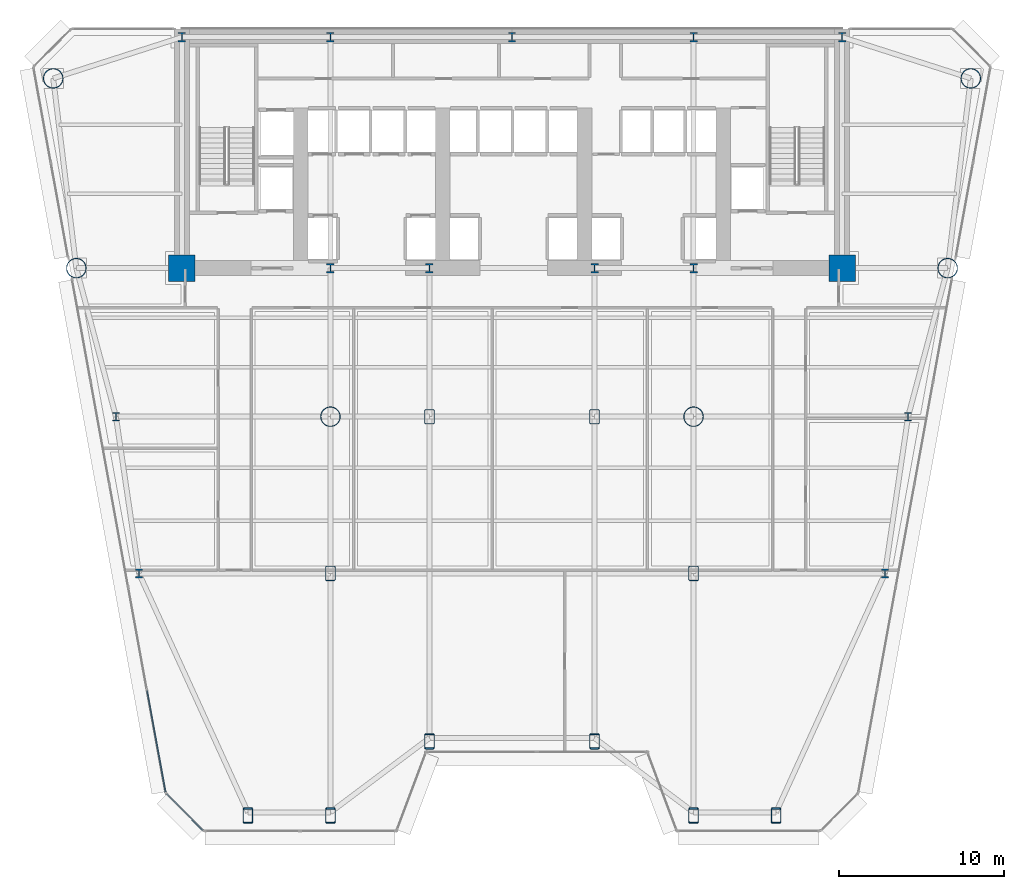
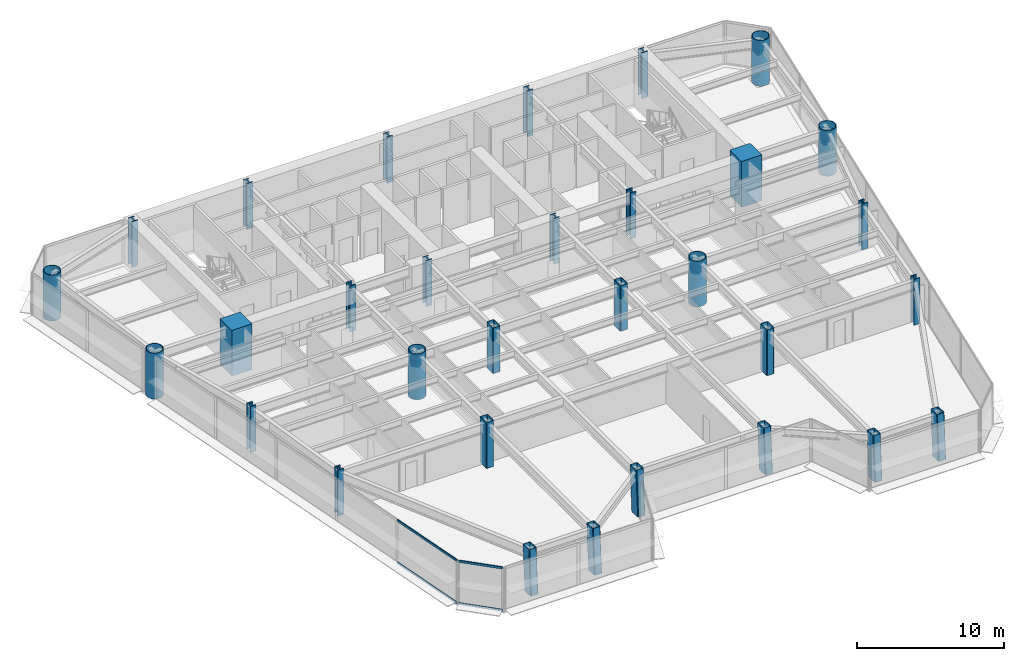
# One storey, part 1 of 14: 31 columns, 4 members, 2 elements without a shape of their own.
"""IFC4 building model written with IfcOpenShell, lengths in metres."""

import ifcopenshell
import ifcopenshell.guid

model = None  # the IFC model being written
_history = None  # IfcOwnerHistory: only IFC2X3 demands one
_inside = {}  # id of a spatial element -> (the spatial element, [elements in it])
_under = {}  # id of a project, library or spatial element -> (it, [spatial elements below it])
_declared = {}  # id of a project -> (the project, [libraries it declares])
_typed = {}  # id of a type object -> (the type object, [elements of that type])
_made_of = {}  # id of a material, layer set ... -> (it, [elements and type objects made of it])


def new_model(schema):
    """Start an empty IFC model of exactly this schema.

    Asked for "IFC4X3", IfcOpenShell would pick the latest addendum, in which some entities
    have other attributes; the version numbers below select the first issue.
    IFC2X3 requires an IfcOwnerHistory on every rooted entity: one is made here for all.
    """
    global model, _history
    if schema == "IFC4X3":
        model = ifcopenshell.file(schema_version=(4, 3, 0, 0))
    else:
        model = ifcopenshell.file(schema=schema)
    _inside.clear()
    _under.clear()
    _declared.clear()
    _typed.clear()
    _made_of.clear()
    _history = None
    if model.schema == "IFC2X3":
        org = make("IfcOrganization", Name="unknown")
        user = make(
            "IfcPersonAndOrganization",
            ThePerson=make("IfcPerson", FamilyName="unknown"),
            TheOrganization=org,
        )
        app = make(
            "IfcApplication",
            ApplicationDeveloper=org,
            Version="unknown",
            ApplicationFullName="unknown",
            ApplicationIdentifier="unknown",
        )
        _history = make(
            "IfcOwnerHistory",
            OwningUser=user,
            OwningApplication=app,
            ChangeAction="ADDED",
            CreationDate=0,
        )
    return model


def make(cls, **values):
    """One entity of the class cls with the attributes given. An attribute that is None is left unset."""
    return model.create_entity(
        cls, **{name: value for name, value in values.items() if value is not None}
    )


def rooted(cls, **values):
    """An entity with a GlobalId (a new one), such as an element, a storey or a relation."""
    return make(cls, GlobalId=ifcopenshell.guid.new(), OwnerHistory=_history, **values)


def si_unit(unit_type, name, prefix=None):
    """IfcSIUnit, for example si_unit("LENGTHUNIT", "METRE", prefix="MILLI")."""
    return make("IfcSIUnit", UnitType=unit_type, Prefix=prefix, Name=name)


def assignment(units):
    """IfcUnitAssignment: the units of a project."""
    return None if units is None else make("IfcUnitAssignment", Units=units)


def point(xyz):
    """IfcCartesianPoint."""
    return None if xyz is None else make("IfcCartesianPoint", Coordinates=xyz)


def direction(xyz):
    """IfcDirection."""
    return None if xyz is None else make("IfcDirection", DirectionRatios=xyz)


def frame(location, z_axis=None, x_axis=None):
    """IfcAxis2Placement3D, a coordinate frame: its origin and axes. An axis left out is left unset."""
    return make(
        "IfcAxis2Placement3D",
        Location=point(location),
        Axis=direction(z_axis),
        RefDirection=direction(x_axis),
    )


def frame_2d(location, x_axis=None):
    """IfcAxis2Placement2D, a coordinate frame in the plane: its origin and x axis."""
    return make(
        "IfcAxis2Placement2D", Location=point(location), RefDirection=direction(x_axis)
    )


def origin():
    """The frame at (0, 0, 0) with its axes left unset."""
    return frame((0.0, 0.0, 0.0))


def origin_2d():
    """The frame at (0, 0) in the plane with its x axis left unset."""
    return frame_2d((0.0, 0.0))


def place(relative_to, where):
    """IfcLocalPlacement: puts the frame where relative to a parent placement (None: the world)."""
    return make(
        "IfcLocalPlacement", PlacementRelTo=relative_to, RelativePlacement=where
    )


def context(
    kind, dimensions, precision=None, world=None, true_north=None, identifier=None
):
    """IfcGeometricRepresentationContext, for example the 3D "Model" context."""
    return make(
        "IfcGeometricRepresentationContext",
        ContextIdentifier=identifier,
        ContextType=kind,
        CoordinateSpaceDimension=dimensions,
        Precision=precision,
        WorldCoordinateSystem=world,
        TrueNorth=true_north,
    )


def subcontext(parent, identifier, kind, view, scale=None):
    """IfcGeometricRepresentationSubContext, for example "Body" below "Model"."""
    return make(
        "IfcGeometricRepresentationSubContext",
        ContextIdentifier=identifier,
        ContextType=kind,
        ParentContext=parent,
        TargetScale=scale,
        TargetView=view,
    )


def project(units=None, contexts=None):
    """IfcProject with its units and contexts."""
    return rooted(
        "IfcProject",
        Name="project",
        RepresentationContexts=contexts,
        UnitsInContext=assignment(units),
    )


def spatial(cls, under=None, at=None, **own):
    """A site, building, storey or space (cls), placed at a placement, below another one or the project."""
    s = rooted(cls, ObjectPlacement=at, **own)
    if under is not None:
        _under.setdefault(under.id(), (under, []))[1].append(s)
    return s


def profile(cls, at=None, kind="AREA", **sizes):
    """A parametric profile (cls). Its sizes go by their IFC names, for example OverallWidth=200.0."""
    return make(cls, ProfileType=kind, Position=at, **sizes)


def rectangle(**sizes):
    """IfcRectangleProfileDef."""
    return profile("IfcRectangleProfileDef", **sizes)


def hollow_rectangle(**sizes):
    """IfcRectangleHollowProfileDef."""
    return profile("IfcRectangleHollowProfileDef", **sizes)


def hollow_circle(**sizes):
    """IfcCircleHollowProfileDef."""
    return profile("IfcCircleHollowProfileDef", **sizes)


def i_section(**sizes):
    """IfcIShapeProfileDef."""
    return profile("IfcIShapeProfileDef", **sizes)


def extrude(swept, where, along, depth):
    """IfcExtrudedAreaSolid: the profile swept, set in the frame where, extruded along a direction by depth."""
    return make(
        "IfcExtrudedAreaSolid",
        SweptArea=swept,
        Position=where,
        ExtrudedDirection=direction(along),
        Depth=depth,
    )


def shape(context_of_items, identifier, shape_type, items):
    """IfcShapeRepresentation: the items that make up one representation, for example the "Body"."""
    return make(
        "IfcShapeRepresentation",
        ContextOfItems=context_of_items,
        RepresentationIdentifier=identifier,
        RepresentationType=shape_type,
        Items=items,
    )


def source(mapping_origin, context_of_items, identifier, shape_type, items):
    """IfcRepresentationMap: a shape defined once, which mapped items show again and again."""
    return make(
        "IfcRepresentationMap",
        MappingOrigin=mapping_origin,
        MappedRepresentation=shape(context_of_items, identifier, shape_type, items),
    )


def transform(
    local_origin,
    x_axis=None,
    y_axis=None,
    z_axis=None,
    scale=None,
    scale2=None,
    scale3=None,
    uniform=True,
):
    """IfcCartesianTransformationOperator3D, or its non-uniform kind. x_axis, y_axis, z_axis: its Axis1, 2, 3."""
    if uniform:
        return make(
            "IfcCartesianTransformationOperator3D",
            Axis1=direction(x_axis),
            Axis2=direction(y_axis),
            LocalOrigin=point(local_origin),
            Scale=scale,
            Axis3=direction(z_axis),
        )
    return make(
        "IfcCartesianTransformationOperator3DnonUniform",
        Axis1=direction(x_axis),
        Axis2=direction(y_axis),
        LocalOrigin=point(local_origin),
        Scale=scale,
        Axis3=direction(z_axis),
        Scale2=scale2,
        Scale3=scale3,
    )


def mapped(mapping_source, mapping_target):
    """IfcMappedItem: shows the shape of a source again, moved by a transform."""
    return make(
        "IfcMappedItem", MappingSource=mapping_source, MappingTarget=mapping_target
    )


def material(Name=None, Category=None):
    """IfcMaterial."""
    return make("IfcMaterial", Name=Name, Category=Category)


def layer(
    of_material, thickness, ventilated=None, Name=None, Category=None, Priority=None
):
    """IfcMaterialLayer: one layer of a wall or slab, of a material (None: an air gap)."""
    return make(
        "IfcMaterialLayer",
        Material=of_material,
        LayerThickness=thickness,
        IsVentilated=ventilated,
        Name=Name,
        Category=Category,
        Priority=Priority,
    )


def layer_set(layers, Name=None):
    """IfcMaterialLayerSet."""
    return make("IfcMaterialLayerSet", MaterialLayers=layers, LayerSetName=Name)


def material_profile(
    of_material, cross_section, Name=None, Category=None, Priority=None
):
    """IfcMaterialProfile: a cross section and its material."""
    return make(
        "IfcMaterialProfile",
        Name=Name,
        Material=of_material,
        Profile=cross_section,
        Priority=Priority,
        Category=Category,
    )


def profile_set(profiles, Name=None, composite=None):
    """IfcMaterialProfileSet."""
    return make(
        "IfcMaterialProfileSet",
        Name=Name,
        MaterialProfiles=profiles,
        CompositeProfile=composite,
    )


def made_of(thing, what):
    """Note that an element or type object is made of a material, layer set ...; save() writes the relation."""
    if what is not None:
        _made_of.setdefault(what.id(), (what, []))[1].append(thing)
    return thing


def type_object(cls, material=None, **own):
    """A type object (cls), such as IfcWallType, which elements share."""
    return made_of(rooted(cls, **own), material)


def element(
    cls,
    number,
    at=None,
    inside=None,
    cuts=None,
    type_object=None,
    material=None,
    context=None,
    identifier="Body",
    shape_type=None,
    held_by="IfcProductDefinitionShape",
    body=None,
    shapes=None,
    **own,
):
    """One element of the class cls, such as IfcWall. Its Tag is "e" and its number.

    at: its placement. inside: the storey or other place that contains it. cuts: it is an
    opening in that element (IfcRelVoidsElement). A single representation is given by context,
    identifier, shape_type and body (its items); several are given by shapes. held_by: the class
    of the entity that holds the representations. save() writes the other relations.
    """
    e = rooted(cls, Tag="e%d" % number, ObjectPlacement=at, **own)
    if body is not None:
        shapes = [shape(context, identifier, shape_type, body)]
    if shapes is not None:
        e.Representation = make(held_by, Representations=shapes)
    if inside is not None:
        _inside.setdefault(inside.id(), (inside, []))[1].append(e)
    if cuts is not None:
        rooted(
            "IfcRelVoidsElement", RelatingBuildingElement=cuts, RelatedOpeningElement=e
        )
    if type_object is not None:
        _typed.setdefault(type_object.id(), (type_object, []))[1].append(e)
    return made_of(e, material)


def aggregate(whole, parts):
    """IfcRelAggregates: a whole, such as a stair, and the parts it consists of."""
    return rooted("IfcRelAggregates", RelatingObject=whole, RelatedObjects=parts)


def save(model, path):
    """Write the relations noted so far, then the file.

    IfcRelAggregates (storeys below a building ...), IfcRelContainedInSpatialStructure (elements
    in a storey), IfcRelDefinesByType, IfcRelAssociatesMaterial and IfcRelDeclares: one each for
    every whole, place, type object, material and project.
    """
    for whole, parts in _under.values():
        aggregate(whole, parts)
    for where, things in _inside.values():
        rooted(
            "IfcRelContainedInSpatialStructure",
            RelatedElements=things,
            RelatingStructure=where,
        )
    for kind, things in _typed.values():
        rooted("IfcRelDefinesByType", RelatedObjects=things, RelatingType=kind)
    for what, things in _made_of.values():
        rooted("IfcRelAssociatesMaterial", RelatedObjects=things, RelatingMaterial=what)
    for by, libraries in _declared.values():
        rooted("IfcRelDeclares", RelatingContext=by, RelatedDefinitions=libraries)
    model.write(path)


model = new_model("IFC4")

# Units and contexts
model_context = context("Model", 3, precision=1e-05, world=origin(), true_north=direction((0.0, 1.0)))
body_context = subcontext(model_context, "Body", "Model", "MODEL_VIEW")
ifc_project = project(units=[si_unit("LENGTHUNIT", "METRE"), si_unit("AREAUNIT", "SQUARE_METRE"), si_unit("VOLUMEUNIT", "CUBIC_METRE"), si_unit("PLANEANGLEUNIT", "RADIAN"), si_unit("MASSUNIT", "GRAM", prefix="KILO")], contexts=[model_context])

# Site, building, storey
site_placement = place(None, origin())
site = spatial("IfcSite", under=ifc_project, at=site_placement, CompositionType="ELEMENT")
building_placement = place(site_placement, origin())
building = spatial("IfcBuilding", under=site, at=building_placement, Name="Vaeldorn Concourse Tower", CompositionType="ELEMENT")
storey_placement = place(building_placement, frame((0.0, 0.0, 56.800048828125)))
storey = spatial("IfcBuildingStorey", under=building, at=storey_placement, Name="L14", CompositionType="ELEMENT", Elevation=56.800048828125)

# Columns
ifc_material_1 = material(Name="Concrete C60/75", Category="concrete")
ifc_material_profile_1 = material_profile(ifc_material_1, rectangle(XDim=1.60009765625, YDim=1.60009765625, at=origin_2d()), Name="RC 1600x1600")
ifc_profile_set_1 = profile_set([ifc_material_profile_1], Name="Concrete C60/75")
column_type_1 = type_object("IfcColumnType", Name="COL-RC1600", PredefinedType="COLUMN", material=ifc_profile_set_1)
shared_shape_1 = source(origin(), body_context, "Body", "SweptSolid", [
    extrude(rectangle(XDim=1.60009765625, YDim=1.60009765625, at=origin_2d()), origin(), (0.0, 0.0, 1.0), 3.800048828125),
])
for number, where, z_axis, x_axis, name in (
    (1, (14.0, 36.5, 0.0), (0.0, 0.0, 1.0), (1.0, 0.0, 0.0), "Column C-FC1 L14"),
    (2, (54.0, 36.5, 0.0), (0.0, 0.0, 1.0), (1.0, 0.0, 0.0), "Column C-FC6 L14"),
):
    element("IfcColumn", number, at=place(storey_placement, frame(where, z_axis=z_axis, x_axis=x_axis)), inside=storey, type_object=column_type_1, Name=name, PredefinedType="COLUMN", context=body_context, shape_type="MappedRepresentation", body=[
        mapped(shared_shape_1, transform((0.0, 0.0, 0.0), scale=1.0)),
    ])
ifc_material_2 = material(Name="Steel S460", Category="steel")
ifc_material_profile_2 = material_profile(ifc_material_2, i_section(OverallWidth=0.4541015625, OverallDepth=0.569091796875, WebThickness=0.077880859375, FlangeThickness=0.080078125, FilletRadius=0.014892578125, at=origin_2d()), Name="HD 400x1086")
ifc_profile_set_2 = profile_set([ifc_material_profile_2], Name="Steel S460")
column_type_2 = type_object("IfcColumnType", Name="COL-HD1086", PredefinedType="COLUMN", material=ifc_profile_set_2)
shared_shape_2 = source(origin(), body_context, "Body", "SweptSolid", [
    extrude(i_section(OverallWidth=0.4541015625, OverallDepth=0.569091796875, WebThickness=0.077880859375, FlangeThickness=0.080078125, FilletRadius=0.014892578125, at=origin_2d()), origin(), (0.0, 0.0, 1.0), 3.800048828125),
])
for number, where, z_axis, x_axis, name in (
    (3, (23.0, 36.5, 0.0), (0.0, 0.0, 1.0), (1.0, 0.0, 0.0), "Column C-FC2 L14"),
    (4, (29.0, 36.5, 0.0), (0.0, 0.0, 1.0), (1.0, 0.0, 0.0), "Column C-FC3 L14"),
    (5, (39.0, 36.5, 0.0), (0.0, 0.0, 1.0), (1.0, 0.0, 0.0), "Column C-FC4 L14"),
    (6, (45.0, 36.5, 0.0), (0.0, 0.0, 1.0), (1.0, 0.0, 0.0), "Column C-FC5 L14"),
    (7, (14.0, 50.5, 0.0), (0.0, 0.0, 1.0), (1.0, 0.0, 0.0), "Column C-HC1 L14"),
    (8, (23.0, 50.5, 0.0), (0.0, 0.0, 1.0), (1.0, 0.0, 0.0), "Column C-HC2 L14"),
    (9, (34.0, 50.5, 0.0), (0.0, 0.0, 1.0), (1.0, 0.0, 0.0), "Column C-HC3 L14"),
    (10, (45.0, 50.5, 0.0), (0.0, 0.0, 1.0), (1.0, 0.0, 0.0), "Column C-HC4 L14"),
    (11, (54.0, 50.5, 0.0), (0.0, 0.0, 1.0), (1.0, 0.0, 0.0), "Column C-HC5 L14"),
):
    element("IfcColumn", number, at=place(storey_placement, frame(where, z_axis=z_axis, x_axis=x_axis)), inside=storey, type_object=column_type_2, Name=name, PredefinedType="COLUMN", context=body_context, shape_type="MappedRepresentation", body=[
        mapped(shared_shape_2, transform((0.0, 0.0, 0.0), scale=1.0)),
    ])
ifc_material_profile_3 = material_profile(ifc_material_2, hollow_circle(Radius=0.609619140625, WallThickness=0.050048828125, at=origin_2d()), Name="CHS 1219x50")
ifc_profile_set_3 = profile_set([ifc_material_profile_3], Name="Steel S460")
column_type_3 = type_object("IfcColumnType", Name="COL-CHS1219", PredefinedType="COLUMN", material=ifc_profile_set_3)
shared_shape_3 = source(origin(), body_context, "Body", "SweptSolid", [
    extrude(hollow_circle(Radius=0.609619140625, WallThickness=0.050048828125, at=origin_2d()), origin(), (0.0, 0.0, 1.0), 3.800048828125),
])
for number, where, z_axis, x_axis, name in (
    (12, (6.199951171875, 48.0, 0.0), (0.0, 0.0, 1.0), (1.0, 0.0, 0.0), "Column C-NW1 L14"),
    (13, (7.60009765625, 36.5, 0.0), (0.0, 0.0, 1.0), (1.0, 0.0, 0.0), "Column C-NW2 L14"),
    (14, (61.800048828125, 48.0, 0.0), (0.0, 0.0, 1.0), (1.0, 0.0, 0.0), "Column C-NE1 L14"),
    (15, (60.39990234375, 36.5, 0.0), (0.0, 0.0, 1.0), (1.0, 0.0, 0.0), "Column C-NE2 L14"),
    (16, (23.0, 27.5, 0.0), (0.0, 0.0, 1.0), (1.0, 0.0, 0.0), "Column C-TW1 L14"),
    (17, (45.0, 27.5, 0.0), (0.0, 0.0, 1.0), (1.0, 0.0, 0.0), "Column C-TW4 L14"),
):
    element("IfcColumn", number, at=place(storey_placement, frame(where, z_axis=z_axis, x_axis=x_axis)), inside=storey, type_object=column_type_3, Name=name, PredefinedType="COLUMN", context=body_context, shape_type="MappedRepresentation", body=[
        mapped(shared_shape_3, transform((0.0, 0.0, 0.0), scale=1.0)),
    ])
ifc_material_profile_4 = material_profile(ifc_material_2, i_section(OverallWidth=0.44189453125, OverallDepth=0.531005859375, WebThickness=0.06494140625, FlangeThickness=0.075927734375, FilletRadius=0.014892578125, at=origin_2d()), Name="HD 400x900")
ifc_profile_set_4 = profile_set([ifc_material_profile_4], Name="Steel S460")
column_type_4 = type_object("IfcColumnType", Name="COL-HD900F", PredefinedType="COLUMN", material=ifc_profile_set_4)
shared_shape_4 = source(origin(), body_context, "Body", "SweptSolid", [
    extrude(i_section(OverallWidth=0.44189453125, OverallDepth=0.531005859375, WebThickness=0.06494140625, FlangeThickness=0.075927734375, FilletRadius=0.014892578125, at=origin_2d()), origin(), (0.0, 0.0, 1.0), 3.800048828125),
])
for number, where, z_axis, x_axis, name in (
    (18, (10.0, 27.5, 0.0), (0.0, 0.0, 1.0), (1.0, 0.0, 0.0), "Column C-FLW1 L14"),
    (19, (11.39990234375, 18.0, 0.0), (0.0, 0.0, 1.0), (1.0, 0.0, 0.0), "Column C-FLW2 L14"),
    (20, (58.0, 27.5, 0.0), (0.0, 0.0, 1.0), (1.0, 0.0, 0.0), "Column C-FLE1 L14"),
    (21, (56.60009765625, 18.0, 0.0), (0.0, 0.0, 1.0), (1.0, 0.0, 0.0), "Column C-FLE2 L14"),
):
    element("IfcColumn", number, at=place(storey_placement, frame(where, z_axis=z_axis, x_axis=x_axis)), inside=storey, type_object=column_type_4, Name=name, PredefinedType="COLUMN", context=body_context, shape_type="MappedRepresentation", body=[
        mapped(shared_shape_4, transform((0.0, 0.0, 0.0), scale=1.0)),
    ])
ifc_material_profile_5 = material_profile(ifc_material_2, hollow_rectangle(XDim=0.60009765625, YDim=0.89990234375, WallThickness=0.0400390625, InnerFilletRadius=0.0400390625, OuterFilletRadius=0.080078125, at=origin_2d()), Name="RHS 900x600x40")
ifc_profile_set_5 = profile_set([ifc_material_profile_5], Name="Steel S460")
column_type_5 = type_object("IfcColumnType", Name="COL-RHS900", PredefinedType="COLUMN", material=ifc_profile_set_5)
shared_shape_5 = source(origin(), body_context, "Body", "SweptSolid", [
    extrude(hollow_rectangle(XDim=0.60009765625, YDim=0.89990234375, WallThickness=0.0400390625, InnerFilletRadius=0.0400390625, OuterFilletRadius=0.080078125, at=origin_2d()), origin(), (0.0, 0.0, 1.0), 3.800048828125),
])
for number, where, z_axis, x_axis, name in (
    (22, (29.0, 27.5, 0.0), (0.0, 0.0, 1.0), (1.0, 0.0, 0.0), "Column C-TW2 L14"),
    (23, (39.0, 27.5, 0.0), (0.0, 0.0, 1.0), (1.0, 0.0, 0.0), "Column C-TW3 L14"),
    (24, (23.0, 18.0, 0.0), (0.0, 0.0, 1.0), (1.0, 0.0, 0.0), "Column C-TW5 L14"),
    (25, (45.0, 18.0, 0.0), (0.0, 0.0, 1.0), (1.0, 0.0, 0.0), "Column C-TW6 L14"),
):
    element("IfcColumn", number, at=place(storey_placement, frame(where, z_axis=z_axis, x_axis=x_axis)), inside=storey, type_object=column_type_5, Name=name, PredefinedType="COLUMN", context=body_context, shape_type="MappedRepresentation", body=[
        mapped(shared_shape_5, transform((0.0, 0.0, 0.0), scale=1.0)),
    ])
shared_shape_6 = source(origin(), body_context, "Body", "SweptSolid", [
    extrude(hollow_rectangle(XDim=0.60009765625, YDim=0.89990234375, WallThickness=0.0400390625, InnerFilletRadius=0.0400390625, OuterFilletRadius=0.080078125, at=origin_2d()), origin(), (0.0, 0.0, 1.0), 3.74365234375),
])
for number, where, z_axis, x_axis, name in (
    (26, (18.0, 3.290771484375, 0.031982421875), (0.0, 0.063843869911, 0.997959899132), (-1.0, 0.0, 0.0), "Column C-SF1 L14"),
    (27, (23.0, 3.290771484375, 0.031982421875), (0.0, 0.063843869911, 0.997959899132), (-1.0, 0.0, 0.0), "Column C-SF2 L14"),
    (28, (29.0, 7.790771484375, 0.031982421875), (0.0, 0.063843869911, 0.997959899132), (-1.0, 0.0, 0.0), "Column C-SF3 L14"),
    (29, (39.0, 7.790771484375, 0.031982421875), (0.0, 0.063843869911, 0.997959899132), (-1.0, 0.0, 0.0), "Column C-SF4 L14"),
    (30, (45.0, 3.290771484375, 0.031982421875), (0.0, 0.063843869911, 0.997959899132), (-1.0, 0.0, 0.0), "Column C-SF5 L14"),
    (31, (50.0, 3.290771484375, 0.031982421875), (0.0, 0.063843869911, 0.997959899132), (-1.0, 0.0, 0.0), "Column C-SF6 L14"),
):
    element("IfcColumn", number, at=place(storey_placement, frame(where, z_axis=z_axis, x_axis=x_axis)), inside=storey, type_object=column_type_5, Name=name, PredefinedType="COLUMN", context=body_context, shape_type="MappedRepresentation", body=[
        mapped(shared_shape_6, transform((0.0, 0.0, 0.0), scale=1.0)),
    ])

# Curtain wall, members
ifc_material_3 = material(Name="Anodised Bronze Aluminium", Category="aluminium")
ifc_layer = layer(ifc_material_3, 0.219970703125)
ifc_layer_set = layer_set([ifc_layer], Name="Anodised Bronze Aluminium")
curtain_wall_type = type_object("IfcCurtainWallType", Name="CW-SYS-01", PredefinedType="NOTDEFINED", material=ifc_layer_set)
curtain_wall_1_placement = place(storey_placement, origin())
curtain_wall_1 = element("IfcCurtainWall", 32, at=curtain_wall_1_placement, inside=storey, type_object=curtain_wall_type, Name="Unitised Curtain Wall CW-L14-E12-1", PredefinedType="NOTDEFINED")
ifc_material_profile_6 = material_profile(ifc_material_3, rectangle(XDim=0.074951171875, YDim=0.179931640625, at=origin_2d()), Name="CWT 75x180")
ifc_profile_set_6 = profile_set([ifc_material_profile_6], Name="Anodised Bronze Aluminium")
member_type = type_object("IfcMemberType", Name="CWT-BRONZE-180", PredefinedType="USERDEFINED", material=ifc_profile_set_6)
shared_shape_7 = source(origin(), body_context, "Body", "SweptSolid", [
    extrude(rectangle(XDim=0.074951171875, YDim=0.179931640625, at=origin_2d()), origin(), (0.0, 0.0, 1.0), 3.102783203125),
])
member_1_placement = place(storey_placement, frame((13.073486328125, 4.6376953125, 0.037353515625), z_axis=(0.707146122816, -0.707067437368, 0.0), x_axis=(0.707067437368, 0.707146122816, 0.0)))
member_1 = element("IfcMember", 33, at=member_1_placement, type_object=member_type, Name="CW-01 transom 1.1", ObjectType="TRANSOM", PredefinedType="USERDEFINED", context=body_context, shape_type="MappedRepresentation", body=[
    mapped(shared_shape_7, transform((0.0, 0.0, 0.0), scale=1.0)),
])
member_2_placement = place(storey_placement, frame((13.073486328125, 4.6376953125, 3.54248046875), z_axis=(0.707146122816, -0.707067437368, 0.0), x_axis=(0.707067437368, 0.707146122816, 0.0)))
member_2 = element("IfcMember", 34, at=member_2_placement, type_object=member_type, Name="CW-01 transom 1.2", ObjectType="TRANSOM", PredefinedType="USERDEFINED", context=body_context, shape_type="MappedRepresentation", body=[
    mapped(shared_shape_7, transform((0.0, 0.0, 0.0), scale=1.0)),
])
aggregate(curtain_wall_1, [member_1, member_2])

curtain_wall_2_placement = place(storey_placement, origin())
curtain_wall_2 = element("IfcCurtainWall", 35, at=curtain_wall_2_placement, inside=storey, type_object=curtain_wall_type, Name="Unitised Curtain Wall CW-L14-E11-2", PredefinedType="NOTDEFINED")
shared_shape_8 = source(origin(), body_context, "Body", "SweptSolid", [
    extrude(rectangle(XDim=0.074951171875, YDim=0.179931640625, at=origin_2d()), origin(), (0.0, 0.0, 1.0), 6.22802734375),
])
member_3_placement = place(storey_placement, frame((11.890380859375, 10.891845703125, 0.037353515625), z_axis=(0.179299371068, -0.983794559618, 0.0), x_axis=(0.983794559618, 0.179299371068, 0.0)))
member_3 = element("IfcMember", 36, at=member_3_placement, type_object=member_type, Name="CW-01 transom 5.1", ObjectType="TRANSOM", PredefinedType="USERDEFINED", context=body_context, shape_type="MappedRepresentation", body=[
    mapped(shared_shape_8, transform((0.0, 0.0, 0.0), scale=1.0)),
])
member_4_placement = place(storey_placement, frame((11.890380859375, 10.891845703125, 3.54248046875), z_axis=(0.179299371068, -0.983794559618, 0.0), x_axis=(0.983794559618, 0.179299371068, 0.0)))
member_4 = element("IfcMember", 37, at=member_4_placement, type_object=member_type, Name="CW-01 transom 5.2", ObjectType="TRANSOM", PredefinedType="USERDEFINED", context=body_context, shape_type="MappedRepresentation", body=[
    mapped(shared_shape_8, transform((0.0, 0.0, 0.0), scale=1.0)),
])
aggregate(curtain_wall_2, [member_3, member_4])

save(model, "model.ifc")
